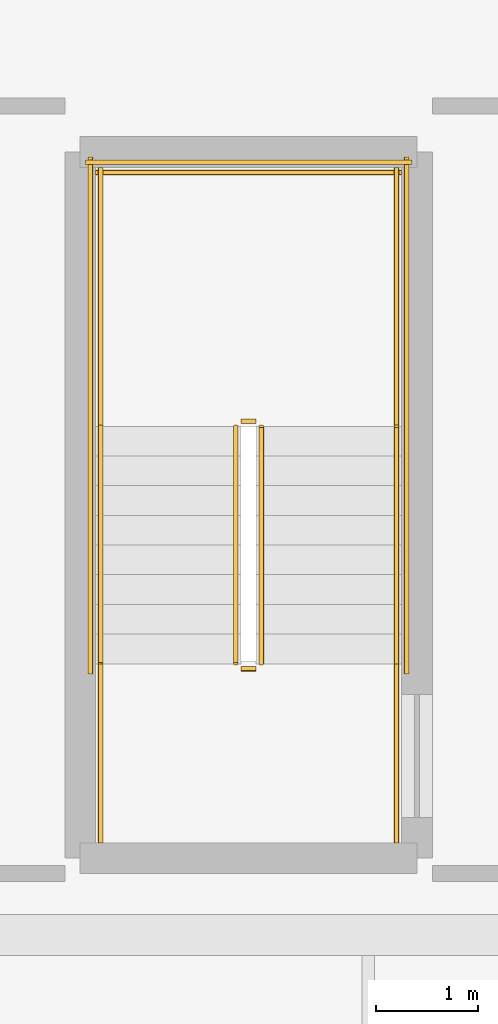
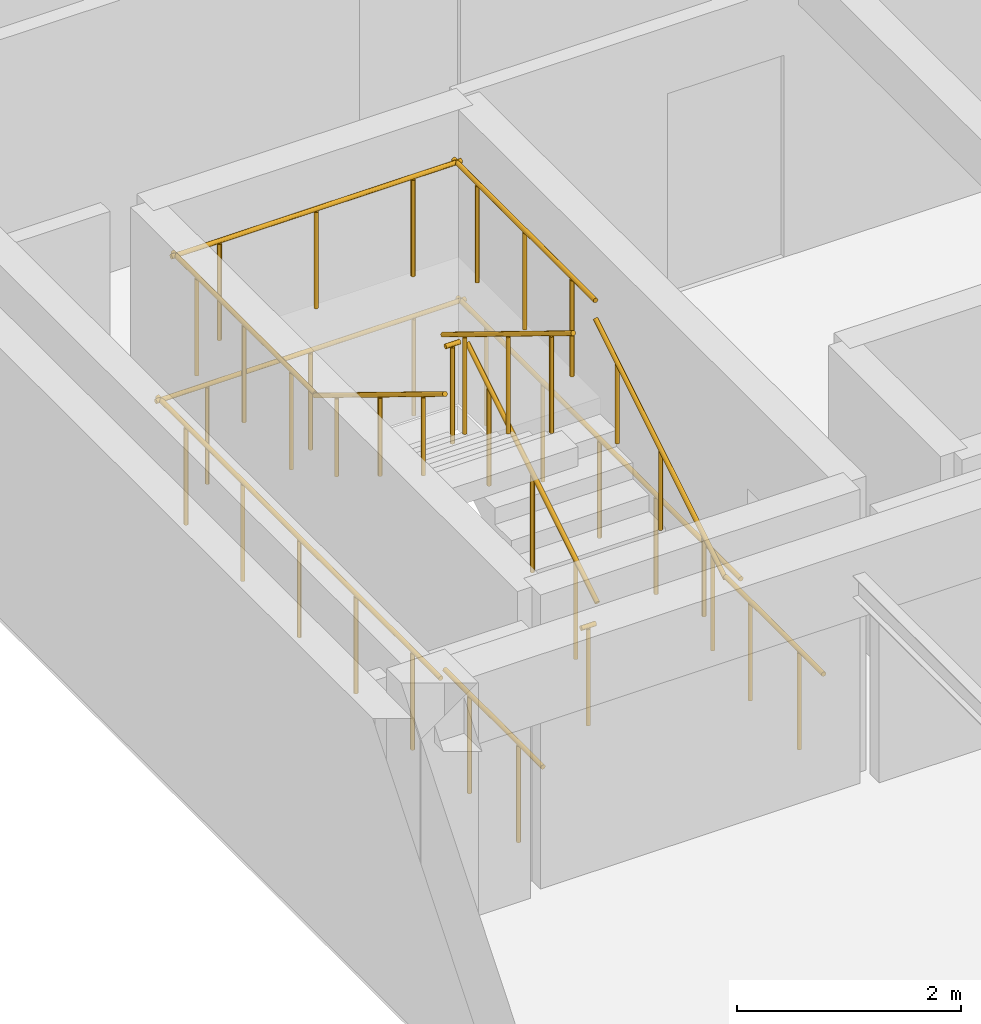
# One storey, part 107 of 128: 14 railings.
"""IFC4 building model written with IfcOpenShell, lengths in metres."""

from ifc_helpers import new_model, si_unit, direction, frame, origin, origin_2d, place, context, subcontext, project, spatial, circle, extrude, material, type_object, element, save


model = new_model("IFC4")

# Units and contexts
model_context = context("Model", 3, precision=1e-05, world=origin(), true_north=direction((0.0, 1.0)))
body_context = subcontext(model_context, "Body", "Model", "MODEL_VIEW")
ifc_project = project(units=[si_unit("LENGTHUNIT", "METRE"), si_unit("AREAUNIT", "SQUARE_METRE"), si_unit("VOLUMEUNIT", "CUBIC_METRE"), si_unit("PLANEANGLEUNIT", "RADIAN"), si_unit("MASSUNIT", "GRAM", prefix="KILO")], contexts=[model_context])

# Site, building, storey
site_placement = place(None, origin())
site = spatial("IfcSite", under=ifc_project, at=site_placement, CompositionType="ELEMENT")
building_placement = place(site_placement, origin())
building = spatial("IfcBuilding", under=site, at=building_placement, Name="Keldmere Railside Commons", CompositionType="ELEMENT")
storey_placement = place(building_placement, frame((0.0, 0.0, 4.159912109375)))
storey = spatial("IfcBuildingStorey", under=building, at=storey_placement, Name="L01", CompositionType="ELEMENT", Elevation=4.159912109375)

# Railings
ifc_material = material(Name="Steel F-24 (S235)", Category="steel")
railing_type_1 = type_object("IfcRailingType", Name="Stair Well Steel Guardrail 1100", PredefinedType="BALUSTRADE", material=ifc_material)
railing_1_placement = place(storey_placement, frame((131.679931640625, 22.050048828125, 0.177978515625)))
element("IfcRailing", 1, at=railing_1_placement, inside=storey, type_object=railing_type_1, Name="L01 ST-M1 stair guard 1", PredefinedType="BALUSTRADE", context=body_context, shape_type="SweptSolid", body=[
    extrude(circle(Radius=0.02392578125, at=origin_2d()), frame((0.0, 0.0, 1.076171875), z_axis=(0.0, 0.852578041948, 0.522599925744), x_axis=(-1.0, 0.0, 0.0)), (0.0, 0.0, 1.0), 2.72119140625),
    extrude(circle(Radius=0.02099609375, at=origin_2d()), frame((0.0, 0.38671875, 0.237060546875)), (0.0, 0.0, 1.0), 1.048095703125),
    extrude(circle(Radius=0.02099609375, at=origin_2d()), frame((0.0, 1.16015625, 0.7109375)), (0.0, 0.0, 1.0), 1.048095703125),
    extrude(circle(Radius=0.02099609375, at=origin_2d()), frame((0.0, 1.933349609375, 1.18505859375)), (0.0, 0.0, 1.0), 1.048095703125),
])
railing_2_placement = place(storey_placement, frame((131.6298828125, 24.419921875, 1.60009765625)))
element("IfcRailing", 2, at=railing_2_placement, inside=storey, type_object=railing_type_1, Name="L01 ST-M1 stair guard 2", PredefinedType="BALUSTRADE", context=body_context, shape_type="SweptSolid", body=[
    extrude(circle(Radius=0.02392578125, at=origin_2d()), frame((0.0, 0.0, 1.076171875), z_axis=(-1.0, 0.0, 0.0), x_axis=(0.0, -1.0, 0.0)), (0.0, 0.0, 1.0), 0.14990234375),
    extrude(circle(Radius=0.02099609375, at=origin_2d()), frame((-0.074951171875, 0.0, 0.0)), (0.0, 0.0, 1.0), 1.048095703125),
])
for number, where, name in (
    (3, (133.0, 24.3701171875, 1.60009765625), "L01 ST-M1 stair guard 3"),
    (4, (130.110107421875, 24.3701171875, 1.60009765625), "L01 ST-M1 stair guard 4"),
):
    element("IfcRailing", number, at=place(storey_placement, frame(where)), inside=storey, type_object=railing_type_1, Name=name, PredefinedType="BALUSTRADE", context=body_context, shape_type="SweptSolid", body=[
        extrude(circle(Radius=0.02392578125, at=origin_2d()), frame((0.0, 0.0, 1.076171875), z_axis=(0.0, 1.0, 0.0), x_axis=(-1.0, 0.0, 0.0)), (0.0, 0.0, 1.0), 2.52978515625),
        extrude(circle(Radius=0.02099609375, at=origin_2d()), frame((0.0, 0.421630859375, 0.0)), (0.0, 0.0, 1.0), 1.048095703125),
        extrude(circle(Radius=0.02099609375, at=origin_2d()), frame((0.0, 1.264892578125, 0.0)), (0.0, 0.0, 1.0), 1.048095703125),
        extrude(circle(Radius=0.02099609375, at=origin_2d()), frame((0.0, 2.108154296875, 0.0)), (0.0, 0.0, 1.0), 1.048095703125),
    ])
railing_3_placement = place(storey_placement, frame((133.050048828125, 26.85009765625, 1.60009765625)))
element("IfcRailing", 5, at=railing_3_placement, inside=storey, type_object=railing_type_1, Name="L01 ST-M1 stair guard 5", PredefinedType="BALUSTRADE", context=body_context, shape_type="SweptSolid", body=[
    extrude(circle(Radius=0.02392578125, at=origin_2d()), frame((0.0, 0.0, 1.076171875), z_axis=(-1.0, 0.0, 0.0), x_axis=(0.0, -1.0, 0.0)), (0.0, 0.0, 1.0), 2.989990234375),
    extrude(circle(Radius=0.02099609375, at=origin_2d()), frame((-0.498291015625, 0.0, 0.0)), (0.0, 0.0, 1.0), 1.048095703125),
    extrude(circle(Radius=0.02099609375, at=origin_2d()), frame((-1.4951171875, 0.0, 0.0)), (0.0, 0.0, 1.0), 1.048095703125),
    extrude(circle(Radius=0.02099609375, at=origin_2d()), frame((-2.49169921875, 0.0, 0.0)), (0.0, 0.0, 1.0), 1.048095703125),
])
railing_4_placement = place(storey_placement, frame((131.429931640625, 24.3701171875, 1.77783203125)))
element("IfcRailing", 6, at=railing_4_placement, inside=storey, type_object=railing_type_1, Name="L01 ST-M1 stair guard 6", PredefinedType="BALUSTRADE", context=body_context, shape_type="SweptSolid", body=[
    extrude(circle(Radius=0.02392578125, at=origin_2d()), frame((0.0, 0.0, 1.076171875), z_axis=(0.0, -0.852538067394, 0.522665135287), x_axis=(1.0, 0.0, 0.0)), (0.0, 0.0, 1.0), 2.721435546875),
    extrude(circle(Radius=0.02099609375, at=origin_2d()), frame((0.0, -0.38671875, 0.237060546875)), (0.0, 0.0, 1.0), 1.048095703125),
    extrude(circle(Radius=0.02099609375, at=origin_2d()), frame((0.0, -1.16015625, 0.711181640625)), (0.0, 0.0, 1.0), 1.048095703125),
    extrude(circle(Radius=0.02099609375, at=origin_2d()), frame((0.0, -1.933349609375, 1.185302734375)), (0.0, 0.0, 1.0), 1.048095703125),
])
railing_5_placement = place(storey_placement, frame((131.6298828125, 22.0, 0.0)))
element("IfcRailing", 7, at=railing_5_placement, inside=storey, type_object=railing_type_1, Name="L01 ST-M1 stair guard 7", PredefinedType="BALUSTRADE", context=body_context, shape_type="SweptSolid", body=[
    extrude(circle(Radius=0.02392578125, at=origin_2d()), frame((0.0, 0.0, 1.076171875), z_axis=(-1.0, 0.0, 0.0), x_axis=(0.0, -1.0, 0.0)), (0.0, 0.0, 1.0), 0.14990234375),
    extrude(circle(Radius=0.02099609375, at=origin_2d()), frame((-0.074951171875, 0.0, 0.0)), (0.0, 0.0, 1.0), 1.048095703125),
])
for number, where, name in (
    (8, (133.0, 20.300048828125, 0.0), "L01 ST-M1 stair guard 8"),
    (9, (130.110107421875, 20.300048828125, 0.0), "L01 ST-M1 stair guard 9"),
):
    element("IfcRailing", number, at=place(storey_placement, frame(where)), inside=storey, type_object=railing_type_1, Name=name, PredefinedType="BALUSTRADE", context=body_context, shape_type="SweptSolid", body=[
        extrude(circle(Radius=0.02392578125, at=origin_2d()), frame((0.0, 0.0, 1.076171875), z_axis=(0.0, 1.0, 0.0), x_axis=(-1.0, 0.0, 0.0)), (0.0, 0.0, 1.0), 1.75),
        extrude(circle(Radius=0.02099609375, at=origin_2d()), frame((0.0, 0.4375, 0.0)), (0.0, 0.0, 1.0), 1.048095703125),
        extrude(circle(Radius=0.02099609375, at=origin_2d()), frame((0.0, 1.3125, 0.0)), (0.0, 0.0, 1.0), 1.048095703125),
    ])
for number, where, name in (
    (10, (133.10009765625, 21.949951171875, 0.0), "L01 ST-M1 stair guard 10"),
    (11, (130.010009765625, 21.949951171875, 0.0), "L01 ST-M1 stair guard 11"),
):
    element("IfcRailing", number, at=place(storey_placement, frame(where)), inside=storey, type_object=railing_type_1, Name=name, PredefinedType="BALUSTRADE", context=body_context, shape_type="SweptSolid", body=[
        extrude(circle(Radius=0.02392578125, at=origin_2d()), frame((0.0, 0.0, 1.076171875), z_axis=(0.0, 1.0, 0.0), x_axis=(-1.0, 0.0, 0.0)), (0.0, 0.0, 1.0), 5.050048828125),
        extrude(circle(Radius=0.02099609375, at=origin_2d()), frame((0.0, 0.5048828125, 0.0)), (0.0, 0.0, 1.0), 1.048095703125),
        extrude(circle(Radius=0.02099609375, at=origin_2d()), frame((0.0, 1.51513671875, 0.0)), (0.0, 0.0, 1.0), 1.048095703125),
        extrude(circle(Radius=0.02099609375, at=origin_2d()), frame((0.0, 2.52490234375, 0.0)), (0.0, 0.0, 1.0), 1.048095703125),
        extrude(circle(Radius=0.02099609375, at=origin_2d()), frame((0.0, 3.534912109375, 0.0)), (0.0, 0.0, 1.0), 1.048095703125),
        extrude(circle(Radius=0.02099609375, at=origin_2d()), frame((0.0, 4.544921875, 0.0)), (0.0, 0.0, 1.0), 1.048095703125),
    ])
railing_6_placement = place(storey_placement, frame((133.14990234375, 26.949951171875, 0.0)))
element("IfcRailing", 12, at=railing_6_placement, inside=storey, type_object=railing_type_1, Name="L01 ST-M1 stair guard 12", PredefinedType="BALUSTRADE", context=body_context, shape_type="SweptSolid", body=[
    extrude(circle(Radius=0.02392578125, at=origin_2d()), frame((0.0, 0.0, 1.076171875), z_axis=(-1.0, 0.0, 0.0), x_axis=(0.0, -1.0, 0.0)), (0.0, 0.0, 1.0), 3.18994140625),
    extrude(circle(Radius=0.02099609375, at=origin_2d()), frame((-0.53173828125, 0.0, 0.0)), (0.0, 0.0, 1.0), 1.048095703125),
    extrude(circle(Radius=0.02099609375, at=origin_2d()), frame((-1.594970703125, 0.0, 0.0)), (0.0, 0.0, 1.0), 1.048095703125),
    extrude(circle(Radius=0.02099609375, at=origin_2d()), frame((-2.658203125, 0.0, 0.0)), (0.0, 0.0, 1.0), 1.048095703125),
])
railing_type_2 = type_object("IfcRailingType", Name="Wall-Mounted Tubular Steel Handrail 900", PredefinedType="HANDRAIL", material=ifc_material)
railing_7_placement = place(storey_placement, frame((133.0, 22.050048828125, 0.177978515625)))
element("IfcRailing", 13, at=railing_7_placement, inside=storey, type_object=railing_type_2, Name="L01 ST-M1 stair handrail 1", PredefinedType="HANDRAIL", context=body_context, shape_type="SweptSolid", body=[
    extrude(circle(Radius=0.02392578125, at=origin_2d()), frame((0.0, 0.0, 0.8759765625), z_axis=(0.0, 0.852578041948, 0.522599925744), x_axis=(-1.0, 0.0, 0.0)), (0.0, 0.0, 1.0), 2.72119140625),
    extrude(circle(Radius=0.02099609375, at=origin_2d()), frame((0.0, 0.38671875, 0.237060546875)), (0.0, 0.0, 1.0), 0.847900390625),
    extrude(circle(Radius=0.02099609375, at=origin_2d()), frame((0.0, 1.16015625, 0.7109375)), (0.0, 0.0, 1.0), 0.847900390625),
    extrude(circle(Radius=0.02099609375, at=origin_2d()), frame((0.0, 1.933349609375, 1.18505859375)), (0.0, 0.0, 1.0), 0.847900390625),
])
railing_8_placement = place(storey_placement, frame((130.110107421875, 24.3701171875, 1.77783203125)))
element("IfcRailing", 14, at=railing_8_placement, inside=storey, type_object=railing_type_2, Name="L01 ST-M1 stair handrail 2", PredefinedType="HANDRAIL", context=body_context, shape_type="SweptSolid", body=[
    extrude(circle(Radius=0.02392578125, at=origin_2d()), frame((0.0, 0.0, 0.8759765625), z_axis=(0.0, -0.852538067394, 0.522665135287), x_axis=(1.0, 0.0, 0.0)), (0.0, 0.0, 1.0), 2.721435546875),
    extrude(circle(Radius=0.02099609375, at=origin_2d()), frame((0.0, -0.38671875, 0.237060546875)), (0.0, 0.0, 1.0), 0.847900390625),
    extrude(circle(Radius=0.02099609375, at=origin_2d()), frame((0.0, -1.16015625, 0.711181640625)), (0.0, 0.0, 1.0), 0.847900390625),
    extrude(circle(Radius=0.02099609375, at=origin_2d()), frame((0.0, -1.933349609375, 1.185302734375)), (0.0, 0.0, 1.0), 0.847900390625),
])

save(model, "model.ifc")
